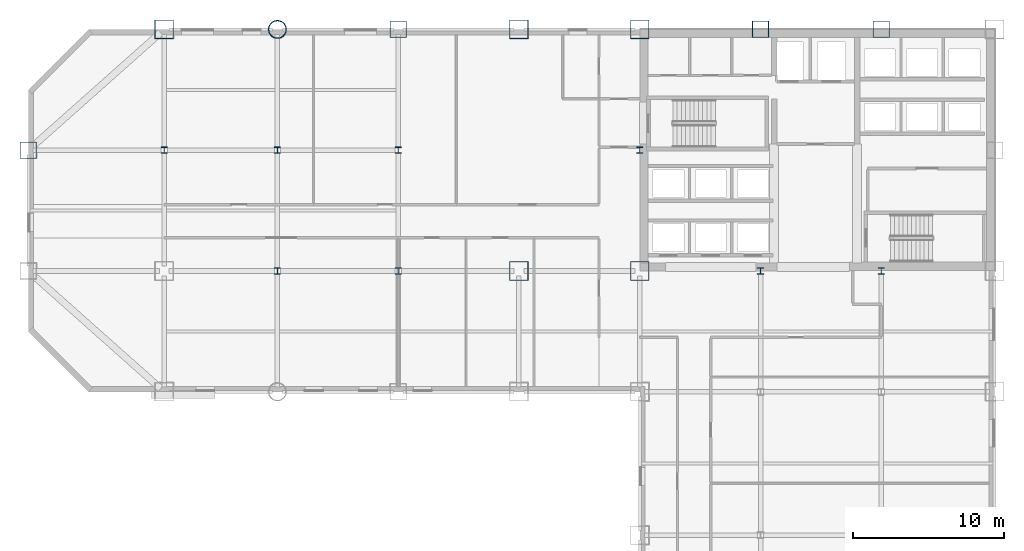
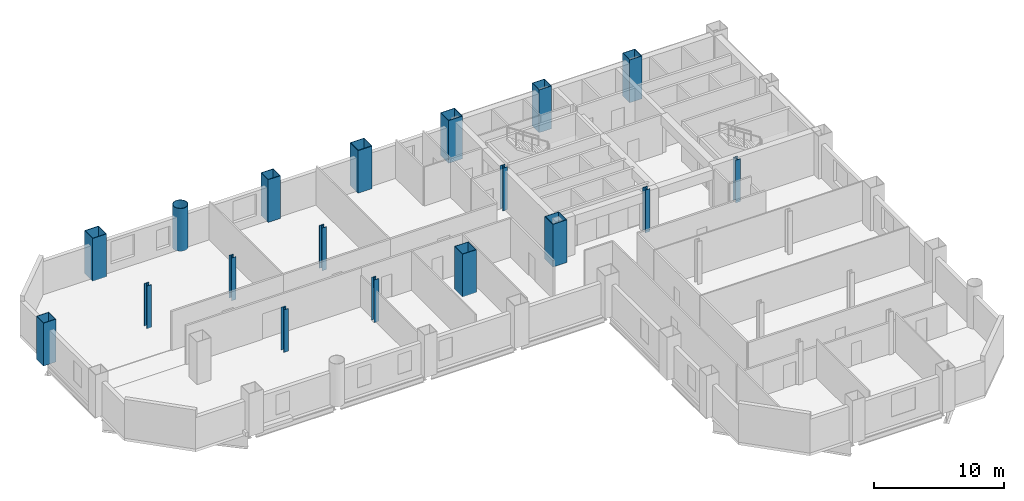
# One storey, part 2 of 9: 18 columns.
"""IFC4 building model written with IfcOpenShell, lengths in metres."""

import ifcopenshell
import ifcopenshell.guid

model = None  # the IFC model being written
_history = None  # IfcOwnerHistory: only IFC2X3 demands one
_inside = {}  # id of a spatial element -> (the spatial element, [elements in it])
_under = {}  # id of a project, library or spatial element -> (it, [spatial elements below it])
_declared = {}  # id of a project -> (the project, [libraries it declares])
_typed = {}  # id of a type object -> (the type object, [elements of that type])
_made_of = {}  # id of a material, layer set ... -> (it, [elements and type objects made of it])


def new_model(schema):
    """Start an empty IFC model of exactly this schema.

    Asked for "IFC4X3", IfcOpenShell would pick the latest addendum, in which some entities
    have other attributes; the version numbers below select the first issue.
    IFC2X3 requires an IfcOwnerHistory on every rooted entity: one is made here for all.
    """
    global model, _history
    if schema == "IFC4X3":
        model = ifcopenshell.file(schema_version=(4, 3, 0, 0))
    else:
        model = ifcopenshell.file(schema=schema)
    _inside.clear()
    _under.clear()
    _declared.clear()
    _typed.clear()
    _made_of.clear()
    _history = None
    if model.schema == "IFC2X3":
        org = make("IfcOrganization", Name="unknown")
        user = make(
            "IfcPersonAndOrganization",
            ThePerson=make("IfcPerson", FamilyName="unknown"),
            TheOrganization=org,
        )
        app = make(
            "IfcApplication",
            ApplicationDeveloper=org,
            Version="unknown",
            ApplicationFullName="unknown",
            ApplicationIdentifier="unknown",
        )
        _history = make(
            "IfcOwnerHistory",
            OwningUser=user,
            OwningApplication=app,
            ChangeAction="ADDED",
            CreationDate=0,
        )
    return model


def make(cls, **values):
    """One entity of the class cls with the attributes given. An attribute that is None is left unset."""
    return model.create_entity(
        cls, **{name: value for name, value in values.items() if value is not None}
    )


def rooted(cls, **values):
    """An entity with a GlobalId (a new one), such as an element, a storey or a relation."""
    return make(cls, GlobalId=ifcopenshell.guid.new(), OwnerHistory=_history, **values)


def si_unit(unit_type, name, prefix=None):
    """IfcSIUnit, for example si_unit("LENGTHUNIT", "METRE", prefix="MILLI")."""
    return make("IfcSIUnit", UnitType=unit_type, Prefix=prefix, Name=name)


def assignment(units):
    """IfcUnitAssignment: the units of a project."""
    return None if units is None else make("IfcUnitAssignment", Units=units)


def point(xyz):
    """IfcCartesianPoint."""
    return None if xyz is None else make("IfcCartesianPoint", Coordinates=xyz)


def direction(xyz):
    """IfcDirection."""
    return None if xyz is None else make("IfcDirection", DirectionRatios=xyz)


def frame(location, z_axis=None, x_axis=None):
    """IfcAxis2Placement3D, a coordinate frame: its origin and axes. An axis left out is left unset."""
    return make(
        "IfcAxis2Placement3D",
        Location=point(location),
        Axis=direction(z_axis),
        RefDirection=direction(x_axis),
    )


def frame_2d(location, x_axis=None):
    """IfcAxis2Placement2D, a coordinate frame in the plane: its origin and x axis."""
    return make(
        "IfcAxis2Placement2D", Location=point(location), RefDirection=direction(x_axis)
    )


def origin():
    """The frame at (0, 0, 0) with its axes left unset."""
    return frame((0.0, 0.0, 0.0))


def origin_2d():
    """The frame at (0, 0) in the plane with its x axis left unset."""
    return frame_2d((0.0, 0.0))


def place(relative_to, where):
    """IfcLocalPlacement: puts the frame where relative to a parent placement (None: the world)."""
    return make(
        "IfcLocalPlacement", PlacementRelTo=relative_to, RelativePlacement=where
    )


def context(
    kind, dimensions, precision=None, world=None, true_north=None, identifier=None
):
    """IfcGeometricRepresentationContext, for example the 3D "Model" context."""
    return make(
        "IfcGeometricRepresentationContext",
        ContextIdentifier=identifier,
        ContextType=kind,
        CoordinateSpaceDimension=dimensions,
        Precision=precision,
        WorldCoordinateSystem=world,
        TrueNorth=true_north,
    )


def subcontext(parent, identifier, kind, view, scale=None):
    """IfcGeometricRepresentationSubContext, for example "Body" below "Model"."""
    return make(
        "IfcGeometricRepresentationSubContext",
        ContextIdentifier=identifier,
        ContextType=kind,
        ParentContext=parent,
        TargetScale=scale,
        TargetView=view,
    )


def project(units=None, contexts=None):
    """IfcProject with its units and contexts."""
    return rooted(
        "IfcProject",
        Name="project",
        RepresentationContexts=contexts,
        UnitsInContext=assignment(units),
    )


def spatial(cls, under=None, at=None, **own):
    """A site, building, storey or space (cls), placed at a placement, below another one or the project."""
    s = rooted(cls, ObjectPlacement=at, **own)
    if under is not None:
        _under.setdefault(under.id(), (under, []))[1].append(s)
    return s


def profile(cls, at=None, kind="AREA", **sizes):
    """A parametric profile (cls). Its sizes go by their IFC names, for example OverallWidth=200.0."""
    return make(cls, ProfileType=kind, Position=at, **sizes)


def hollow_rectangle(**sizes):
    """IfcRectangleHollowProfileDef."""
    return profile("IfcRectangleHollowProfileDef", **sizes)


def hollow_circle(**sizes):
    """IfcCircleHollowProfileDef."""
    return profile("IfcCircleHollowProfileDef", **sizes)


def i_section(**sizes):
    """IfcIShapeProfileDef."""
    return profile("IfcIShapeProfileDef", **sizes)


def extrude(swept, where, along, depth):
    """IfcExtrudedAreaSolid: the profile swept, set in the frame where, extruded along a direction by depth."""
    return make(
        "IfcExtrudedAreaSolid",
        SweptArea=swept,
        Position=where,
        ExtrudedDirection=direction(along),
        Depth=depth,
    )


def shape(context_of_items, identifier, shape_type, items):
    """IfcShapeRepresentation: the items that make up one representation, for example the "Body"."""
    return make(
        "IfcShapeRepresentation",
        ContextOfItems=context_of_items,
        RepresentationIdentifier=identifier,
        RepresentationType=shape_type,
        Items=items,
    )


def material(Name=None, Category=None):
    """IfcMaterial."""
    return make("IfcMaterial", Name=Name, Category=Category)


def material_profile(
    of_material, cross_section, Name=None, Category=None, Priority=None
):
    """IfcMaterialProfile: a cross section and its material."""
    return make(
        "IfcMaterialProfile",
        Name=Name,
        Material=of_material,
        Profile=cross_section,
        Priority=Priority,
        Category=Category,
    )


def profile_set(profiles, Name=None, composite=None):
    """IfcMaterialProfileSet."""
    return make(
        "IfcMaterialProfileSet",
        Name=Name,
        MaterialProfiles=profiles,
        CompositeProfile=composite,
    )


def made_of(thing, what):
    """Note that an element or type object is made of a material, layer set ...; save() writes the relation."""
    if what is not None:
        _made_of.setdefault(what.id(), (what, []))[1].append(thing)
    return thing


def type_object(cls, material=None, **own):
    """A type object (cls), such as IfcWallType, which elements share."""
    return made_of(rooted(cls, **own), material)


def element(
    cls,
    number,
    at=None,
    inside=None,
    cuts=None,
    type_object=None,
    material=None,
    context=None,
    identifier="Body",
    shape_type=None,
    held_by="IfcProductDefinitionShape",
    body=None,
    shapes=None,
    **own,
):
    """One element of the class cls, such as IfcWall. Its Tag is "e" and its number.

    at: its placement. inside: the storey or other place that contains it. cuts: it is an
    opening in that element (IfcRelVoidsElement). A single representation is given by context,
    identifier, shape_type and body (its items); several are given by shapes. held_by: the class
    of the entity that holds the representations. save() writes the other relations.
    """
    e = rooted(cls, Tag="e%d" % number, ObjectPlacement=at, **own)
    if body is not None:
        shapes = [shape(context, identifier, shape_type, body)]
    if shapes is not None:
        e.Representation = make(held_by, Representations=shapes)
    if inside is not None:
        _inside.setdefault(inside.id(), (inside, []))[1].append(e)
    if cuts is not None:
        rooted(
            "IfcRelVoidsElement", RelatingBuildingElement=cuts, RelatedOpeningElement=e
        )
    if type_object is not None:
        _typed.setdefault(type_object.id(), (type_object, []))[1].append(e)
    return made_of(e, material)


def aggregate(whole, parts):
    """IfcRelAggregates: a whole, such as a stair, and the parts it consists of."""
    return rooted("IfcRelAggregates", RelatingObject=whole, RelatedObjects=parts)


def save(model, path):
    """Write the relations noted so far, then the file.

    IfcRelAggregates (storeys below a building ...), IfcRelContainedInSpatialStructure (elements
    in a storey), IfcRelDefinesByType, IfcRelAssociatesMaterial and IfcRelDeclares: one each for
    every whole, place, type object, material and project.
    """
    for whole, parts in _under.values():
        aggregate(whole, parts)
    for where, things in _inside.values():
        rooted(
            "IfcRelContainedInSpatialStructure",
            RelatedElements=things,
            RelatingStructure=where,
        )
    for kind, things in _typed.values():
        rooted("IfcRelDefinesByType", RelatedObjects=things, RelatingType=kind)
    for what, things in _made_of.values():
        rooted("IfcRelAssociatesMaterial", RelatedObjects=things, RelatingMaterial=what)
    for by, libraries in _declared.values():
        rooted("IfcRelDeclares", RelatingContext=by, RelatedDefinitions=libraries)
    model.write(path)


model = new_model("IFC4")

# Units and contexts
model_context = context("Model", 3, precision=1e-05, world=origin(), true_north=direction((0.0, 1.0)))
body_context = subcontext(model_context, "Body", "Model", "MODEL_VIEW")
ifc_project = project(units=[si_unit("LENGTHUNIT", "METRE"), si_unit("AREAUNIT", "SQUARE_METRE"), si_unit("VOLUMEUNIT", "CUBIC_METRE"), si_unit("PLANEANGLEUNIT", "RADIAN"), si_unit("MASSUNIT", "GRAM", prefix="KILO")], contexts=[model_context])

# Site, building, storey
site_placement = place(None, origin())
site = spatial("IfcSite", under=ifc_project, at=site_placement, CompositionType="ELEMENT")
building_placement = place(site_placement, origin())
building = spatial("IfcBuilding", under=site, at=building_placement, Name="Qianrong Seaharbour Tower", CompositionType="ELEMENT")
storey_placement = place(building_placement, frame((0.0, 0.0, 104.199951171875)))
storey = spatial("IfcBuildingStorey", under=building, at=storey_placement, Name="L25", CompositionType="ELEMENT", Elevation=104.199951171875)

# Columns
ifc_material = material(Name="Structural steel SN490B", Category="steel")
ifc_material_profile_1 = material_profile(ifc_material, hollow_rectangle(XDim=1.25, YDim=1.25, WallThickness=0.044921875, at=origin_2d()), Name="BOX1250x1250x45")
ifc_profile_set_1 = profile_set([ifc_material_profile_1], Name="Structural steel SN490B")
column_type_1 = type_object("IfcColumnType", Name="COL-CFT-1250", PredefinedType="COLUMN", material=ifc_profile_set_1)
for number, where, z_axis, x_axis, name in (
    (1, (9.0, 52.0, 0.0), (0.0, 0.0, 1.0), (1.0, 0.0, 0.0), "L25 Column MC-2 at G2/GH"),
    (2, (32.5, 36.0, 0.0), (0.0, 0.0, 1.0), (1.0, 0.0, 0.0), "L25 Column MC-2 at G5/GF"),
    (3, (32.5, 52.0, 0.0), (0.0, 0.0, 1.0), (1.0, 0.0, 0.0), "L25 Column MC-2 at G5/GH"),
    (4, (40.5, 36.0, 0.0), (0.0, 0.0, 1.0), (1.0, 0.0, 0.0), "L25 Column MC-2 at G6/GF"),
    (5, (40.5, 52.0, 0.0), (0.0, 0.0, 1.0), (1.0, 0.0, 0.0), "L25 Column MC-2 at G6/GH"),
):
    element("IfcColumn", number, at=place(storey_placement, frame(where, z_axis=z_axis, x_axis=x_axis)), inside=storey, type_object=column_type_1, Name=name, PredefinedType="COLUMN", context=body_context, shape_type="SweptSolid", body=[
        extrude(hollow_rectangle(XDim=1.25, YDim=1.25, WallThickness=0.044921875, at=origin_2d()), origin(), (0.0, 0.0, 1.0), 4.0),
    ])
ifc_material_profile_2 = material_profile(ifc_material, hollow_circle(Radius=0.60009765625, WallThickness=0.0400390625, at=origin_2d()), Name="CHS1200x40")
ifc_profile_set_2 = profile_set([ifc_material_profile_2], Name="Structural steel SN490B")
column_type_2 = type_object("IfcColumnType", Name="COL-CHS-1200", PredefinedType="COLUMN", material=ifc_profile_set_2)
column_placement = place(storey_placement, frame((16.5, 52.0, 0.0), z_axis=(0.0, 0.0, 1.0), x_axis=(1.0, 0.0, 0.0)))
element("IfcColumn", 6, at=column_placement, inside=storey, type_object=column_type_2, Name="L25 Column CC-1 at G3/GH", PredefinedType="COLUMN", context=body_context, shape_type="SweptSolid", body=[
    extrude(hollow_circle(Radius=0.60009765625, WallThickness=0.0400390625, at=origin_2d()), origin(), (0.0, 0.0, 1.0), 4.0),
])
ifc_material_profile_3 = material_profile(ifc_material, i_section(OverallWidth=0.406982421875, OverallDepth=0.427978515625, WebThickness=0.02001953125, FlangeThickness=0.034912109375, FilletRadius=0.02197265625, at=origin_2d()), Name="H428x407x20x35")
ifc_profile_set_3 = profile_set([ifc_material_profile_3], Name="Structural steel SN490B")
column_type_3 = type_object("IfcColumnType", Name="COL-INT-H428", PredefinedType="COLUMN", material=ifc_profile_set_3)
for number, where, z_axis, x_axis, name in (
    (7, (9.0, 44.0, 0.0), (0.0, 0.0, 1.0), (1.0, 0.0, 0.0), "L25 Column IC-2 at G2/GG"),
    (8, (16.5, 36.0, 0.0), (0.0, 0.0, 1.0), (1.0, 0.0, 0.0), "L25 Column IC-2 at G3/GF"),
    (9, (16.5, 44.0, 0.0), (0.0, 0.0, 1.0), (1.0, 0.0, 0.0), "L25 Column IC-2 at G3/GG"),
    (10, (24.5, 36.0, 0.0), (0.0, 0.0, 1.0), (1.0, 0.0, 0.0), "L25 Column IC-2 at G4/GF"),
    (11, (24.5, 44.0, 0.0), (0.0, 0.0, 1.0), (1.0, 0.0, 0.0), "L25 Column IC-2 at G4/GG"),
    (12, (40.5, 44.0, 0.0), (0.0, 0.0, 1.0), (1.0, 0.0, 0.0), "L25 Column IC-2 at G6/GG"),
    (13, (48.5, 36.0, 0.0), (0.0, 0.0, 1.0), (1.0, 0.0, 0.0), "L25 Column IC-2 at G7/GF"),
    (14, (56.5, 36.0, 0.0), (0.0, 0.0, 1.0), (1.0, 0.0, 0.0), "L25 Column IC-2 at G8/GF"),
):
    element("IfcColumn", number, at=place(storey_placement, frame(where, z_axis=z_axis, x_axis=x_axis)), inside=storey, type_object=column_type_3, Name=name, PredefinedType="COLUMN", context=body_context, shape_type="SweptSolid", body=[
        extrude(i_section(OverallWidth=0.406982421875, OverallDepth=0.427978515625, WebThickness=0.02001953125, FlangeThickness=0.034912109375, FilletRadius=0.02197265625, at=origin_2d()), origin(), (0.0, 0.0, 1.0), 4.0),
    ])
ifc_material_profile_4 = material_profile(ifc_material, hollow_rectangle(XDim=1.10009765625, YDim=1.10009765625, WallThickness=0.0400390625, at=origin_2d()), Name="BOX1100x1100x40")
ifc_profile_set_4 = profile_set([ifc_material_profile_4], Name="Structural steel SN490B")
column_type_4 = type_object("IfcColumnType", Name="COL-PER-1100", PredefinedType="COLUMN", material=ifc_profile_set_4)
for number, where, z_axis, x_axis, name in (
    (15, (0.0, 44.0, 0.0), (0.0, 0.0, 1.0), (1.0, 0.0, 0.0), "L25 Column PC-1 at G1/GG"),
    (16, (24.5, 52.0, 0.0), (0.0, 0.0, 1.0), (1.0, 0.0, 0.0), "L25 Column PC-1 at G4/GH"),
    (17, (48.5, 52.0, 0.0), (0.0, 0.0, 1.0), (1.0, 0.0, 0.0), "L25 Column PC-1 at G7/GH"),
    (18, (56.5, 52.0, 0.0), (0.0, 0.0, 1.0), (1.0, 0.0, 0.0), "L25 Column PC-1 at G8/GH"),
):
    element("IfcColumn", number, at=place(storey_placement, frame(where, z_axis=z_axis, x_axis=x_axis)), inside=storey, type_object=column_type_4, Name=name, PredefinedType="COLUMN", context=body_context, shape_type="SweptSolid", body=[
        extrude(hollow_rectangle(XDim=1.10009765625, YDim=1.10009765625, WallThickness=0.0400390625, at=origin_2d()), origin(), (0.0, 0.0, 1.0), 4.0),
    ])

save(model, "model.ifc")
